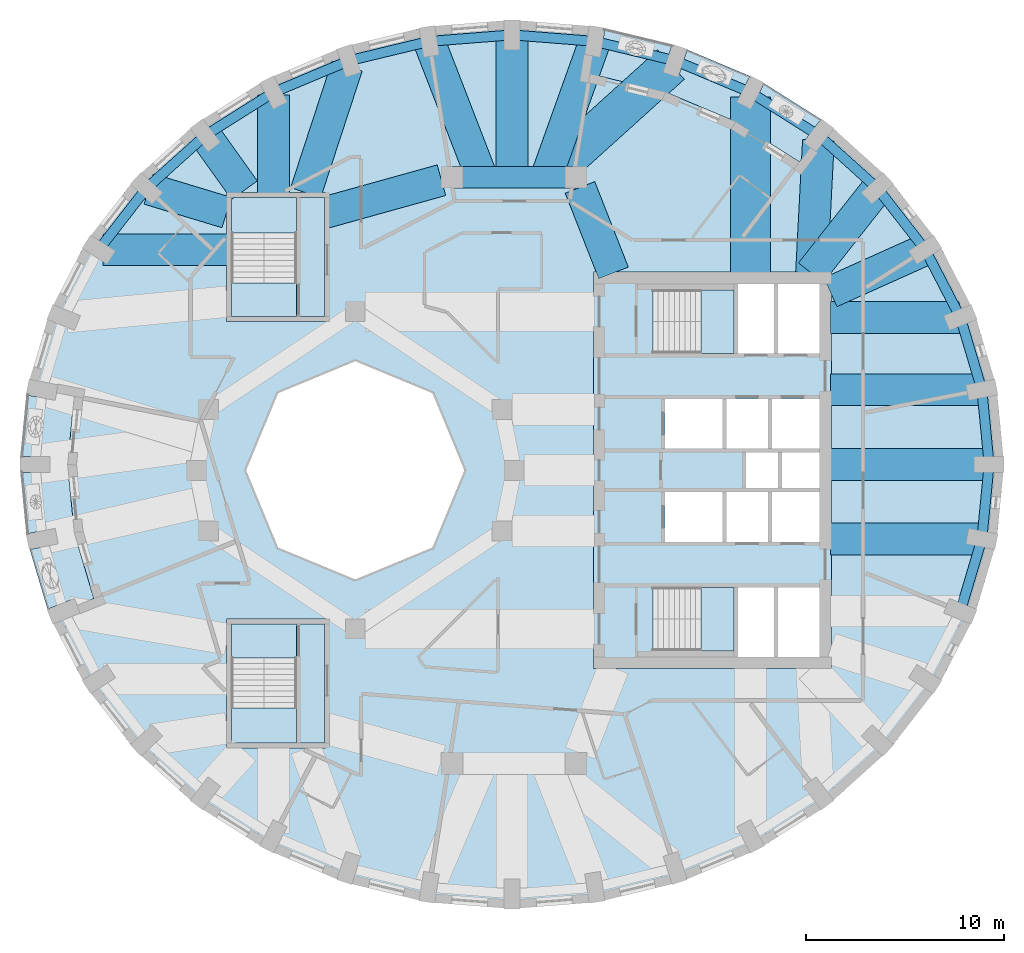
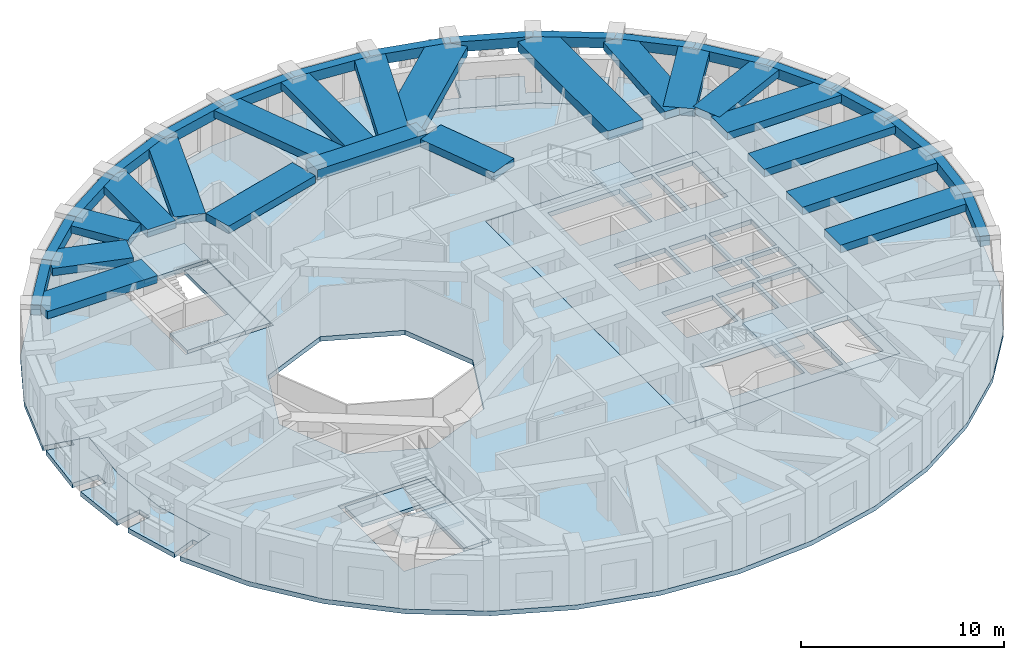
# One storey, part 2 of 12: 37 beams, 12 slabs, 4 elements without a shape of their own.
"""IFC4 building model written with IfcOpenShell, lengths in metres."""

from ifc_helpers import new_model, si_unit, direction, frame, origin, origin_2d, place, context, subcontext, project, spatial, polyline, rectangle, outline, extrude, material, layer, layer_set, material_profile, profile_set, type_object, element, aggregate, save


model = new_model("IFC4")

# Units and contexts
model_context = context("Model", 3, precision=1e-05, world=origin(), true_north=direction((0.0, 1.0)))
body_context = subcontext(model_context, "Body", "Model", "MODEL_VIEW")
ifc_project = project(units=[si_unit("LENGTHUNIT", "METRE"), si_unit("AREAUNIT", "SQUARE_METRE"), si_unit("VOLUMEUNIT", "CUBIC_METRE"), si_unit("PLANEANGLEUNIT", "RADIAN"), si_unit("MASSUNIT", "GRAM", prefix="KILO")], contexts=[model_context])

# Site, building, storey
site_placement = place(None, origin())
site = spatial("IfcSite", under=ifc_project, at=site_placement, CompositionType="ELEMENT")
building_placement = place(site_placement, origin())
building = spatial("IfcBuilding", under=site, at=building_placement, Name="Taillehof Tower", CompositionType="ELEMENT")
storey_placement = place(building_placement, frame((0.0, 0.0, 239.89990234375)))
storey = spatial("IfcBuildingStorey", under=building, at=storey_placement, Name="L68", CompositionType="ELEMENT", Elevation=239.89990234375)

# Beams
ifc_material_1 = material(Name="Concrete C50/60", Category="concrete")
ifc_material_profile_1 = material_profile(ifc_material_1, rectangle(XDim=1.10009765625, YDim=0.60009765625, at=origin_2d()), Name="RC 1100x600")
ifc_profile_set_1 = profile_set([ifc_material_profile_1], Name="Concrete C50/60")
beam_type_1 = type_object("IfcBeamType", Name="Mid-ring beam C50/60 1100x600", PredefinedType="BEAM", material=ifc_profile_set_1)
beam_1_placement = place(storey_placement, frame((3.125732421875, 14.772216796875, 2.72021484375), z_axis=(-1.0, 0.0, 0.0), x_axis=(0.0, -1.0, 0.0)))
element("IfcBeam", 1, at=beam_1_placement, inside=storey, type_object=beam_type_1, Name="Mid-ring beam MB01", PredefinedType="BEAM", context=body_context, shape_type="SweptSolid", body=[
    extrude(rectangle(XDim=1.10009765625, YDim=0.60009765625, at=origin_2d()), origin(), (0.0, 0.0, 1.0), 6.25146484375),
])
ifc_material_2 = material(Name="Concrete C50/60", Category="concrete")
ifc_material_profile_2 = material_profile(ifc_material_2, rectangle(XDim=1.60009765625, YDim=0.449951171875, at=origin_2d()), Name="RC 1600x450")
ifc_profile_set_2 = profile_set([ifc_material_profile_2], Name="Concrete C50/60")
beam_type_2 = type_object("IfcBeamType", Name="Radial band beam C50/60 1600x450", PredefinedType="BEAM", material=ifc_profile_set_2)
beam_2_placement = place(storey_placement, frame((23.949951171875, 0.300048828125, 2.795166015625), z_axis=(-1.0, 0.0, 0.0), x_axis=(0.0, -1.0, 0.0)))
element("IfcBeam", 2, at=beam_2_placement, inside=storey, type_object=beam_type_2, Name="Radial band beam RB01", PredefinedType="BEAM", context=body_context, shape_type="SweptSolid", body=[
    extrude(rectangle(XDim=1.60009765625, YDim=0.449951171875, at=origin_2d()), origin(), (0.0, 0.0, 1.0), 8.0),
])
beam_3_placement = place(storey_placement, frame((23.584716796875, 4.0595703125, 2.795166015625), z_axis=(-1.0, 0.0, 0.0), x_axis=(0.0, -1.0, 0.0)))
element("IfcBeam", 3, at=beam_3_placement, inside=storey, type_object=beam_type_2, Name="Radial band beam RB02", PredefinedType="BEAM", context=body_context, shape_type="SweptSolid", body=[
    extrude(rectangle(XDim=1.60009765625, YDim=0.449951171875, at=origin_2d()), origin(), (0.0, 0.0, 1.0), 7.634765625),
])
beam_4_placement = place(storey_placement, frame((22.44580078125, 7.704833984375, 2.795166015625), z_axis=(-1.0, 0.0, 0.0), x_axis=(0.0, -1.0, 0.0)))
element("IfcBeam", 4, at=beam_4_placement, inside=storey, type_object=beam_type_2, Name="Radial band beam RB03", PredefinedType="BEAM", context=body_context, shape_type="SweptSolid", body=[
    extrude(rectangle(XDim=1.60009765625, YDim=0.449951171875, at=origin_2d()), origin(), (0.0, 0.0, 1.0), 6.495849609375),
])
beam_5_placement = place(storey_placement, frame((20.72802734375, 11.125, 2.795166015625), z_axis=(-0.912110813011, -0.409943733685, 0.0), x_axis=(0.409943733685, -0.912110813011, 0.0)))
element("IfcBeam", 5, at=beam_5_placement, inside=storey, type_object=beam_type_2, Name="Radial band beam RB04", PredefinedType="BEAM", context=body_context, shape_type="SweptSolid", body=[
    extrude(rectangle(XDim=1.60009765625, YDim=0.449951171875, at=origin_2d()), origin(), (0.0, 0.0, 1.0), 5.233642578125),
])
beam_6_placement = place(storey_placement, frame((18.323486328125, 14.21630859375, 2.795166015625), z_axis=(-0.619052480422, -0.785349620541, 0.0), x_axis=(0.785349620541, -0.619052480422, 0.0)))
element("IfcBeam", 6, at=beam_6_placement, inside=storey, type_object=beam_type_2, Name="Radial band beam RB05", PredefinedType="BEAM", context=body_context, shape_type="SweptSolid", body=[
    extrude(rectangle(XDim=1.60009765625, YDim=0.449951171875, at=origin_2d()), origin(), (0.0, 0.0, 1.0), 5.418701171875),
])
beam_7_placement = place(storey_placement, frame((15.3466796875, 16.645751953125, 2.795166015625), z_axis=(-0.052105887855, -0.998641565553, 0.0), x_axis=(0.998641565553, -0.052105887855, 0.0)))
element("IfcBeam", 7, at=beam_7_placement, inside=storey, type_object=beam_type_2, Name="Radial band beam RB06", PredefinedType="BEAM", context=body_context, shape_type="SweptSolid", body=[
    extrude(rectangle(XDim=1.60009765625, YDim=0.449951171875, at=origin_2d()), origin(), (0.0, 0.0, 1.0), 6.704833984375),
])
beam_8_placement = place(storey_placement, frame((4.076171875, 21.62109375, 2.795166015625), z_axis=(-0.33687426523, -0.941549642571, 0.0), x_axis=(0.941549642571, -0.33687426523, 0.0)))
element("IfcBeam", 8, at=beam_8_placement, inside=storey, type_object=beam_type_2, Name="Radial band beam RB09", PredefinedType="BEAM", context=body_context, shape_type="SweptSolid", body=[
    extrude(rectangle(XDim=1.60009765625, YDim=0.449951171875, at=origin_2d()), origin(), (0.0, 0.0, 1.0), 7.27392578125),
])
beam_9_placement = place(storey_placement, frame((-0.10009765625, 21.949951171875, 2.795166015625), z_axis=(0.0, -1.0, 0.0), x_axis=(1.0, 0.0, 0.0)))
element("IfcBeam", 9, at=beam_9_placement, inside=storey, type_object=beam_type_2, Name="Radial band beam RB10", PredefinedType="BEAM", context=body_context, shape_type="SweptSolid", body=[
    extrude(rectangle(XDim=1.60009765625, YDim=0.449951171875, at=origin_2d()), origin(), (0.0, 0.0, 1.0), 7.177734375),
])
beam_10_placement = place(storey_placement, frame((-4.276123046875, 21.62109375, 2.795166015625), z_axis=(0.360900836016, -0.932604196089, 0.0), x_axis=(0.932604196089, 0.360900836016, 0.0)))
element("IfcBeam", 10, at=beam_10_placement, inside=storey, type_object=beam_type_2, Name="Radial band beam RB11", PredefinedType="BEAM", context=body_context, shape_type="SweptSolid", body=[
    extrude(rectangle(XDim=1.60009765625, YDim=0.449951171875, at=origin_2d()), origin(), (0.0, 0.0, 1.0), 7.34375),
])
beam_11_placement = place(storey_placement, frame((-8.41162109375, 20.38134765625, 2.795166015625), z_axis=(-0.311042642597, -0.950395956687, 0.0), x_axis=(0.950395956687, -0.311042642597, 0.0)))
element("IfcBeam", 11, at=beam_11_placement, inside=storey, type_object=beam_type_2, Name="Radial band beam RB12", PredefinedType="BEAM", context=body_context, shape_type="SweptSolid", body=[
    extrude(rectangle(XDim=1.60009765625, YDim=0.449951171875, at=origin_2d()), origin(), (0.0, 0.0, 1.0), 6.715576171875),
])
beam_12_placement = place(storey_placement, frame((-12.125, 18.91552734375, 2.795166015625), z_axis=(0.0, -1.0, 0.0), x_axis=(1.0, 0.0, 0.0)))
element("IfcBeam", 12, at=beam_12_placement, inside=storey, type_object=beam_type_2, Name="Radial band beam RB13", PredefinedType="BEAM", context=body_context, shape_type="SweptSolid", body=[
    extrude(rectangle(XDim=1.60009765625, YDim=0.449951171875, at=origin_2d()), origin(), (0.0, 0.0, 1.0), 4.965576171875),
])
beam_13_placement = place(storey_placement, frame((-15.55908203125, 16.884765625, 2.795166015625), z_axis=(0.580959197129, -0.813932682272, 0.0), x_axis=(0.813932682272, 0.580959197129, 0.0)))
element("IfcBeam", 13, at=beam_13_placement, inside=storey, type_object=beam_type_2, Name="Radial band beam RB14", PredefinedType="BEAM", context=body_context, shape_type="SweptSolid", body=[
    extrude(rectangle(XDim=1.60009765625, YDim=0.449951171875, at=origin_2d()), origin(), (0.0, 0.0, 1.0), 3.394287109375),
])
beam_14_placement = place(storey_placement, frame((-18.413818359375, 14.18310546875, 2.795166015625), z_axis=(0.957221394865, -0.289356529584, 0.0), x_axis=(0.289356529584, 0.957221394865, 0.0)))
element("IfcBeam", 14, at=beam_14_placement, inside=storey, type_object=beam_type_2, Name="Radial band beam RB15", PredefinedType="BEAM", context=body_context, shape_type="SweptSolid", body=[
    extrude(rectangle(XDim=1.60009765625, YDim=0.449951171875, at=origin_2d()), origin(), (0.0, 0.0, 1.0), 4.102294921875),
])
beam_15_placement = place(storey_placement, frame((-20.7119140625, 11.125, 2.795166015625), z_axis=(1.0, 0.0, 0.0), x_axis=(0.0, 1.0, 0.0)))
element("IfcBeam", 15, at=beam_15_placement, inside=storey, type_object=beam_type_2, Name="Radial band beam RB16", PredefinedType="BEAM", context=body_context, shape_type="SweptSolid", body=[
    extrude(rectangle(XDim=1.60009765625, YDim=0.449951171875, at=origin_2d()), origin(), (0.0, 0.0, 1.0), 6.261962890625),
])
beam_16_placement = place(storey_placement, frame((23.584716796875, -3.45947265625, 2.795166015625), z_axis=(-1.0, 0.0, 0.0), x_axis=(0.0, -1.0, 0.0)))
element("IfcBeam", 16, at=beam_16_placement, inside=storey, type_object=beam_type_2, Name="Radial band beam RB36", PredefinedType="BEAM", context=body_context, shape_type="SweptSolid", body=[
    extrude(rectangle(XDim=1.60009765625, YDim=0.449951171875, at=origin_2d()), origin(), (0.0, 0.0, 1.0), 7.634765625),
])
beam_17_placement = place(storey_placement, frame((3.32666015625, 14.26025390625, 2.795166015625), z_axis=(0.365588707223, -0.930776502255, 0.0), x_axis=(0.930776502255, 0.365588707223, 0.0)))
element("IfcBeam", 17, at=beam_17_placement, inside=storey, type_object=beam_type_2, Name="Inner band beam IB205", PredefinedType="BEAM", context=body_context, shape_type="SweptSolid", body=[
    extrude(rectangle(XDim=1.60009765625, YDim=0.449951171875, at=origin_2d()), origin(), (0.0, 0.0, 1.0), 4.627197265625),
])
beam_18_placement = place(storey_placement, frame((-3.655517578125, 14.624755859375, 2.795166015625), z_axis=(-0.963459369536, -0.267854518821, 0.0), x_axis=(0.267854518821, -0.963459369536, 0.0)))
element("IfcBeam", 18, at=beam_18_placement, inside=storey, type_object=beam_type_2, Name="Inner band beam IB206", PredefinedType="BEAM", context=body_context, shape_type="SweptSolid", body=[
    extrude(rectangle(XDim=1.60009765625, YDim=0.449951171875, at=origin_2d()), origin(), (0.0, 0.0, 1.0), 6.096923828125),
])
ifc_material_3 = material(Name="Concrete C50/60", Category="concrete")
ifc_material_profile_3 = material_profile(ifc_material_3, rectangle(XDim=2.0, YDim=0.550048828125, at=origin_2d()), Name="RC 2000x550")
ifc_profile_set_3 = profile_set([ifc_material_profile_3], Name="Concrete C50/60")
beam_type_3 = type_object("IfcBeamType", Name="Radial band beam C50/60 2000x550", PredefinedType="BEAM", material=ifc_profile_set_3)
beam_19_placement = place(storey_placement, frame((11.925048828125, 18.8115234375, 2.7451171875), z_axis=(0.0, -1.0, 0.0), x_axis=(1.0, 0.0, 0.0)))
element("IfcBeam", 19, at=beam_19_placement, inside=storey, type_object=beam_type_3, Name="Radial band beam RB07", PredefinedType="BEAM", context=body_context, shape_type="SweptSolid", body=[
    extrude(rectangle(XDim=2.0, YDim=0.550048828125, at=origin_2d()), origin(), (0.0, 0.0, 1.0), 8.861572265625),
])
beam_20_placement = place(storey_placement, frame((7.9150390625, 20.4541015625, 2.7451171875), z_axis=(-0.742031364941, -0.670365164253, 0.0), x_axis=(0.670365164253, -0.742031364941, 0.0)))
element("IfcBeam", 20, at=beam_20_placement, inside=storey, type_object=beam_type_3, Name="Radial band beam RB08", PredefinedType="BEAM", context=body_context, shape_type="SweptSolid", body=[
    extrude(rectangle(XDim=2.0, YDim=0.550048828125, at=origin_2d()), origin(), (0.0, 0.0, 1.0), 8.189453125),
])
ifc_material_4 = material(Name="Concrete C50/60", Category="concrete")
ifc_material_profile_4 = material_profile(ifc_material_4, rectangle(XDim=0.5, YDim=0.60009765625, at=origin_2d()), Name="RC 500x600")
ifc_profile_set_4 = profile_set([ifc_material_profile_4], Name="Concrete C50/60")
beam_type_4 = type_object("IfcBeamType", Name="Spandrel beam C50/60 500x600", PredefinedType="SPANDREL", material=ifc_profile_set_4)
beam_21_placement = place(storey_placement, frame((23.949951171875, 0.300048828125, 2.72021484375), z_axis=(-0.096693940319, 0.995314162416, 0.0), x_axis=(-0.995314162416, -0.096693940319, 0.0)))
element("IfcBeam", 21, at=beam_21_placement, inside=storey, type_object=beam_type_4, Name="Spandrel beam SB01", PredefinedType="SPANDREL", context=body_context, shape_type="SweptSolid", body=[
    extrude(rectangle(XDim=0.5, YDim=0.60009765625, at=origin_2d()), origin(), (0.0, 0.0, 1.0), 3.777099609375),
])
beam_22_placement = place(storey_placement, frame((23.584716796875, 4.0595703125, 2.72021484375), z_axis=(-0.285327303248, 0.95843013831, 0.0), x_axis=(-0.95843013831, -0.285327303248, 0.0)))
element("IfcBeam", 22, at=beam_22_placement, inside=storey, type_object=beam_type_4, Name="Spandrel beam SB02", PredefinedType="SPANDREL", context=body_context, shape_type="SweptSolid", body=[
    extrude(rectangle(XDim=0.5, YDim=0.60009765625, at=origin_2d()), origin(), (0.0, 0.0, 1.0), 3.803466796875),
])
beam_23_placement = place(storey_placement, frame((22.49951171875, 7.704833984375, 2.72021484375), z_axis=(-0.45992118545, 0.887959741865, 0.0), x_axis=(-0.887959741865, -0.45992118545, 0.0)))
element("IfcBeam", 23, at=beam_23_placement, inside=storey, type_object=beam_type_4, Name="Spandrel beam SB03", PredefinedType="SPANDREL", context=body_context, shape_type="SweptSolid", body=[
    extrude(rectangle(XDim=0.5, YDim=0.60009765625, at=origin_2d()), origin(), (0.0, 0.0, 1.0), 3.851806640625),
])
beam_24_placement = place(storey_placement, frame((20.72802734375, 11.125, 2.72021484375), z_axis=(-0.613970823209, 0.78932872002, 0.0), x_axis=(-0.78932872002, -0.613970823209, 0.0)))
element("IfcBeam", 24, at=beam_24_placement, inside=storey, type_object=beam_type_4, Name="Spandrel beam SB04", PredefinedType="SPANDREL", context=body_context, shape_type="SweptSolid", body=[
    extrude(rectangle(XDim=0.5, YDim=0.60009765625, at=origin_2d()), origin(), (0.0, 0.0, 1.0), 3.916259765625),
])
beam_25_placement = place(storey_placement, frame((18.323486328125, 14.21630859375, 2.72021484375), z_axis=(-0.743227182134, 0.669039128704, 0.0), x_axis=(-0.669039128704, -0.743227182134, 0.0)))
element("IfcBeam", 25, at=beam_25_placement, inside=storey, type_object=beam_type_4, Name="Spandrel beam SB05", PredefinedType="SPANDREL", context=body_context, shape_type="SweptSolid", body=[
    extrude(rectangle(XDim=0.5, YDim=0.60009765625, at=origin_2d()), origin(), (0.0, 0.0, 1.0), 3.988525390625),
])
beam_26_placement = place(storey_placement, frame((15.359130859375, 16.884765625, 2.72021484375), z_axis=(-0.845944476237, 0.5332709847, 0.0), x_axis=(-0.5332709847, -0.845944476237, 0.0)))
element("IfcBeam", 26, at=beam_26_placement, inside=storey, type_object=beam_type_4, Name="Spandrel beam SB06", PredefinedType="SPANDREL", context=body_context, shape_type="SweptSolid", body=[
    extrude(rectangle(XDim=0.5, YDim=0.60009765625, at=origin_2d()), origin(), (0.0, 0.0, 1.0), 4.0595703125),
])
beam_27_placement = place(storey_placement, frame((11.925048828125, 19.049560546875, 2.72021484375), z_axis=(-0.922076419735, 0.387007850267, 0.0), x_axis=(-0.387007850267, -0.922076419735, 0.0)))
element("IfcBeam", 27, at=beam_27_placement, inside=storey, type_object=beam_type_4, Name="Spandrel beam SB07", PredefinedType="SPANDREL", context=body_context, shape_type="SweptSolid", body=[
    extrude(rectangle(XDim=0.5, YDim=0.60009765625, at=origin_2d()), origin(), (0.0, 0.0, 1.0), 4.12060546875),
])
beam_28_placement = place(storey_placement, frame((8.12548828125, 20.644287109375, 2.72021484375), z_axis=(-0.972115850295, 0.234501116425, 0.0), x_axis=(-0.234501116425, -0.972115850295, 0.0)))
element("IfcBeam", 28, at=beam_28_placement, inside=storey, type_object=beam_type_4, Name="Spandrel beam SB08", PredefinedType="SPANDREL", context=body_context, shape_type="SweptSolid", body=[
    extrude(rectangle(XDim=0.5, YDim=0.60009765625, at=origin_2d()), origin(), (0.0, 0.0, 1.0), 4.16552734375),
])
beam_29_placement = place(storey_placement, frame((4.076171875, 21.62109375, 2.72021484375), z_axis=(-0.996914011582, 0.078501296247, 0.0), x_axis=(-0.078501296247, -0.996914011582, 0.0)))
element("IfcBeam", 29, at=beam_29_placement, inside=storey, type_object=beam_type_4, Name="Spandrel beam SB09", PredefinedType="SPANDREL", context=body_context, shape_type="SweptSolid", body=[
    extrude(rectangle(XDim=0.5, YDim=0.60009765625, at=origin_2d()), origin(), (0.0, 0.0, 1.0), 4.189208984375),
])
beam_30_placement = place(storey_placement, frame((-0.10009765625, 21.949951171875, 2.72021484375), z_axis=(-0.996913652411, -0.07850585734, 0.0), x_axis=(0.07850585734, -0.996913652411, 0.0)))
element("IfcBeam", 30, at=beam_30_placement, inside=storey, type_object=beam_type_4, Name="Spandrel beam SB10", PredefinedType="SPANDREL", context=body_context, shape_type="SweptSolid", body=[
    extrude(rectangle(XDim=0.5, YDim=0.60009765625, at=origin_2d()), origin(), (0.0, 0.0, 1.0), 4.18896484375),
])
beam_31_placement = place(storey_placement, frame((-4.276123046875, 21.62109375, 2.72021484375), z_axis=(-0.972119073064, -0.234487756154, 0.0), x_axis=(0.234487756154, -0.972119073064, 0.0)))
element("IfcBeam", 31, at=beam_31_placement, inside=storey, type_object=beam_type_4, Name="Spandrel beam SB11", PredefinedType="SPANDREL", context=body_context, shape_type="SweptSolid", body=[
    extrude(rectangle(XDim=0.5, YDim=0.60009765625, at=origin_2d()), origin(), (0.0, 0.0, 1.0), 4.165771484375),
])
beam_32_placement = place(storey_placement, frame((-8.32568359375, 20.644287109375, 2.72021484375), z_axis=(-0.922067545136, -0.387028994013, 0.0), x_axis=(0.387028994013, -0.922067545136, 0.0)))
element("IfcBeam", 32, at=beam_32_placement, inside=storey, type_object=beam_type_4, Name="Spandrel beam SB12", PredefinedType="SPANDREL", context=body_context, shape_type="SweptSolid", body=[
    extrude(rectangle(XDim=0.5, YDim=0.60009765625, at=origin_2d()), origin(), (0.0, 0.0, 1.0), 4.120361328125),
])
beam_33_placement = place(storey_placement, frame((-12.125, 19.049560546875, 2.72021484375), z_axis=(-0.845944476237, -0.5332709847, 0.0), x_axis=(0.5332709847, -0.845944476237, 0.0)))
element("IfcBeam", 33, at=beam_33_placement, inside=storey, type_object=beam_type_4, Name="Spandrel beam SB13", PredefinedType="SPANDREL", context=body_context, shape_type="SweptSolid", body=[
    extrude(rectangle(XDim=0.5, YDim=0.60009765625, at=origin_2d()), origin(), (0.0, 0.0, 1.0), 4.0595703125),
])
beam_34_placement = place(storey_placement, frame((-15.55908203125, 16.884765625, 2.72021484375), z_axis=(-0.743227182134, -0.669039128704, 0.0), x_axis=(0.669039128704, -0.743227182134, 0.0)))
element("IfcBeam", 34, at=beam_34_placement, inside=storey, type_object=beam_type_4, Name="Spandrel beam SB14", PredefinedType="SPANDREL", context=body_context, shape_type="SweptSolid", body=[
    extrude(rectangle(XDim=0.5, YDim=0.60009765625, at=origin_2d()), origin(), (0.0, 0.0, 1.0), 3.988525390625),
])
beam_35_placement = place(storey_placement, frame((-18.5234375, 14.21630859375, 2.72021484375), z_axis=(-0.613970823209, -0.78932872002, 0.0), x_axis=(0.78932872002, -0.613970823209, 0.0)))
element("IfcBeam", 35, at=beam_35_placement, inside=storey, type_object=beam_type_4, Name="Spandrel beam SB15", PredefinedType="SPANDREL", context=body_context, shape_type="SweptSolid", body=[
    extrude(rectangle(XDim=0.5, YDim=0.60009765625, at=origin_2d()), origin(), (0.0, 0.0, 1.0), 3.916259765625),
])
beam_36_placement = place(storey_placement, frame((22.49951171875, -7.104736328125, 2.72021484375), z_axis=(0.285327303248, 0.95843013831, 0.0), x_axis=(-0.95843013831, 0.285327303248, 0.0)))
element("IfcBeam", 36, at=beam_36_placement, inside=storey, type_object=beam_type_4, Name="Spandrel beam SB35", PredefinedType="SPANDREL", context=body_context, shape_type="SweptSolid", body=[
    extrude(rectangle(XDim=0.5, YDim=0.60009765625, at=origin_2d()), origin(), (0.0, 0.0, 1.0), 3.803466796875),
])
beam_37_placement = place(storey_placement, frame((23.584716796875, -3.45947265625, 2.72021484375), z_axis=(0.096693940319, 0.995314162416, 0.0), x_axis=(-0.995314162416, 0.096693940319, 0.0)))
element("IfcBeam", 37, at=beam_37_placement, inside=storey, type_object=beam_type_4, Name="Spandrel beam SB36", PredefinedType="SPANDREL", context=body_context, shape_type="SweptSolid", body=[
    extrude(rectangle(XDim=0.5, YDim=0.60009765625, at=origin_2d()), origin(), (0.0, 0.0, 1.0), 3.777099609375),
])

# Slabs
ifc_material_5 = material(Name="Concrete C40/50", Category="concrete")
ifc_layer_1 = layer(ifc_material_5, 0.280029296875)
ifc_layer_set_1 = layer_set([ifc_layer_1], Name="Balcony slab 280")
slab_type_1 = type_object("IfcSlabType", Name="Balcony slab 280", PredefinedType="USERDEFINED", material=ifc_layer_set_1)
slab_1_placement = place(storey_placement, frame((0.0, 0.0, -0.27978515625)))
element("IfcSlab", 38, at=slab_1_placement, inside=storey, type_object=slab_type_1, Name="Balcony L68 pocket 5", ObjectType="BALCONY", PredefinedType="USERDEFINED", context=body_context, shape_type="SweptSolid", body=[
    extrude(outline(polyline([(-21.17822265625, -6.464111328125), (-22.013427734375, -6.80078125), (-22.153564453125, -6.453369140625), (-23.511474609375, -7.00048828125), (-24.405029296875, -3.988037109375), (-22.971923828125, -3.708251953125), (-23.125244140625, -2.923095703125), (-24.560546875, -3.203369140625), (-24.861328125, -0.10009765625), (-23.39990234375, -0.10009765625), (-23.39990234375, 0.699951171875), (-24.861328125, 0.699951171875), (-24.560546875, 3.803466796875), (-23.125244140625, 3.523193359375), (-23.051025390625, 3.90234375), (-22.167724609375, 3.72998046875), (-22.5, 0.300048828125), (-22.167724609375, -3.1298828125), (-21.17822265625, -6.464111328125)])), origin(), (0.0, 0.0, 1.0), 0.27978515625),
])
slab_2_placement = place(storey_placement, frame((0.0, 0.0, -0.27978515625)))
element("IfcSlab", 39, at=slab_2_placement, inside=storey, type_object=slab_type_1, Name="Balcony L68 pocket 1", ObjectType="BALCONY", PredefinedType="USERDEFINED", context=body_context, shape_type="SweptSolid", body=[
    extrude(outline(polyline([(3.8291015625, 19.989501953125), (3.970458984375, 20.87841796875), (4.353271484375, 20.817626953125), (4.584228515625, 22.268310546875), (7.968994140625, 21.448974609375), (7.511474609375, 20.056884765625), (8.271240234375, 19.806884765625), (8.730224609375, 21.20263671875), (11.900390625, 19.8671875), (11.2236328125, 18.5693359375), (11.932861328125, 18.199462890625), (12.612060546875, 19.501708984375), (15.47021484375, 17.69384765625), (14.587158203125, 16.52880859375), (14.935546875, 16.2646484375), (14.3916015625, 15.546630859375), (11.190185546875, 17.571044921875), (7.632568359375, 19.069091796875), (3.8291015625, 19.989501953125)])), origin(), (0.0, 0.0, 1.0), 0.27978515625),
])
ifc_material_6 = material(Name="Concrete C40/50", Category="concrete")
ifc_layer_2 = layer(ifc_material_6, 0.280029296875)
ifc_layer_set_2 = layer_set([ifc_layer_2], Name="Core floor slab C40/50 280")
slab_type_2 = type_object("IfcSlabType", Name="Core floor slab C40/50 280", PredefinedType="FLOOR", material=ifc_layer_set_2)
slab_3_placement = place(storey_placement, frame((0.0, 0.0, -0.27978515625)))
element("IfcSlab", 40, at=slab_3_placement, inside=storey, type_object=slab_type_2, Name="Core floor L68", PredefinedType="FLOOR", context=body_context, shape_type="SweptSolid", body=[
    extrude(outline(polyline([(4.0, -10.0), (4.0, 10.0), (16.0, 10.0), (16.0, -10.0), (4.0, -10.0)]), holes=[polyline([(11.10009765625, -9.10009765625), (11.10009765625, -5.89990234375), (7.00048828125, -5.89990234375), (7.00048828125, -9.10009765625), (11.10009765625, -9.10009765625)]), polyline([(10.5, -3.60009765625), (10.5, -1.10009765625), (7.60009765625, -1.10009765625), (7.60009765625, -3.60009765625), (10.5, -3.60009765625)]), polyline([(12.800048828125, -3.60009765625), (12.800048828125, -1.10009765625), (10.699951171875, -1.10009765625), (10.699951171875, -3.60009765625), (12.800048828125, -3.60009765625)]), polyline([(10.5, 1.10009765625), (10.5, 3.60009765625), (7.60009765625, 3.60009765625), (7.60009765625, 1.10009765625), (10.5, 1.10009765625)]), polyline([(12.800048828125, 1.10009765625), (12.800048828125, 3.60009765625), (10.699951171875, 3.60009765625), (10.699951171875, 1.10009765625), (12.800048828125, 1.10009765625)]), polyline([(11.10009765625, 5.89990234375), (11.10009765625, 9.10009765625), (7.00048828125, 9.10009765625), (7.00048828125, 5.89990234375), (11.10009765625, 5.89990234375)]), polyline([(13.10009765625, 5.89990234375), (13.10009765625, 9.39990234375), (11.300048828125, 9.39990234375), (11.300048828125, 5.89990234375), (13.10009765625, 5.89990234375)]), polyline([(13.10009765625, -5.89990234375), (11.300048828125, -5.89990234375), (11.300048828125, -9.39990234375), (13.10009765625, -9.39990234375), (13.10009765625, -5.89990234375)]), polyline([(15.39990234375, -9.39990234375), (15.39990234375, -5.89990234375), (13.300048828125, -5.89990234375), (13.300048828125, -9.39990234375), (15.39990234375, -9.39990234375)]), polyline([(15.39990234375, -3.60009765625), (15.39990234375, -1.10009765625), (13.0, -1.10009765625), (13.0, -3.60009765625), (15.39990234375, -3.60009765625)]), polyline([(13.300048828125, -0.89990234375), (13.300048828125, 0.89990234375), (11.699951171875, 0.89990234375), (11.699951171875, -0.89990234375), (13.300048828125, -0.89990234375)]), polyline([(15.39990234375, -0.89990234375), (15.39990234375, 0.89990234375), (13.5, 0.89990234375), (13.5, -0.89990234375), (15.39990234375, -0.89990234375)]), polyline([(15.39990234375, 1.10009765625), (15.39990234375, 3.60009765625), (13.0, 3.60009765625), (13.0, 1.10009765625), (15.39990234375, 1.10009765625)]), polyline([(15.39990234375, 5.89990234375), (15.39990234375, 9.39990234375), (13.300048828125, 9.39990234375), (13.300048828125, 5.89990234375), (15.39990234375, 5.89990234375)])]), origin(), (0.0, 0.0, 1.0), 0.27978515625),
])
ifc_material_7 = material(Name="Concrete C40/50", Category="concrete")
ifc_layer_3 = layer(ifc_material_7, 0.280029296875)
ifc_layer_set_3 = layer_set([ifc_layer_3], Name="Floor slab 280")
slab_type_3 = type_object("IfcSlabType", Name="Floor slab 280", PredefinedType="FLOOR", material=ifc_layer_set_3)
slab_4_placement = place(storey_placement, frame((0.0, 0.0, -0.27978515625)))
element("IfcSlab", 41, at=slab_4_placement, inside=storey, type_object=slab_type_3, Name="Floor slab L68", PredefinedType="FLOOR", context=body_context, shape_type="SweptSolid", body=[
    extrude(outline(polyline([(24.699951171875, 0.300048828125), (24.3232421875, 4.189697265625), (23.204345703125, 7.961181640625), (21.37744140625, 11.5), (18.89794921875, 14.698486328125), (15.841064453125, 17.45947265625), (14.3916015625, 15.546630859375), (11.190185546875, 17.57080078125), (7.632568359375, 19.069091796875), (3.8291015625, 19.989501953125), (4.20654296875, 22.359619140625), (-0.10009765625, 22.699951171875), (-4.406494140625, 22.359619140625), (-8.58203125, 21.34912109375), (-12.5, 19.698974609375), (-16.041015625, 17.45947265625), (-19.097900390625, 14.698486328125), (-21.577392578125, 11.5), (-23.404296875, 7.961181640625), (-24.523193359375, 4.189697265625), (-22.167724609375, 3.72998046875), (-22.5, 0.300048828125), (-22.167724609375, -3.1298828125), (-21.17822265625, -6.464111328125), (-23.404296875, -7.361328125), (-21.577392578125, -10.89990234375), (-19.097900390625, -14.098388671875), (-16.041015625, -16.859375), (-12.5, -19.09912109375), (-8.58203125, -20.7490234375), (-4.406494140625, -21.759765625), (-0.10009765625, -22.10009765625), (4.20654296875, -21.759765625), (8.382080078125, -20.7490234375), (12.300048828125, -19.09912109375), (15.841064453125, -16.859375), (18.89794921875, -14.098388671875), (21.37744140625, -10.89990234375), (23.204345703125, -7.361328125), (24.3232421875, -3.589599609375), (24.699951171875, 0.300048828125)]), holes=[polyline([(-14.5, -7.5), (-9.5, -7.5), (-9.5, -14.0), (-14.5, -14.0), (-14.5, -7.5)]), polyline([(-8.0, -5.5), (-11.88916015625, -3.88916015625), (-13.5, 0.0), (-11.88916015625, 3.88916015625), (-8.0, 5.5), (-4.11083984375, 3.88916015625), (-2.5, 0.0), (-4.11083984375, -3.88916015625), (-8.0, -5.5)]), polyline([(16.0, 10.0), (16.0, -10.0), (4.0, -10.0), (4.0, 10.0), (16.0, 10.0)]), polyline([(-14.5, 14.0), (-9.5, 14.0), (-9.5, 7.5), (-14.5, 7.5), (-14.5, 14.0)])]), origin(), (0.0, 0.0, 1.0), 0.27978515625),
])

# Stair, slab
ifc_material_8 = material(Name="Concrete C40/50", Category="concrete")
stair_type = type_object("IfcStairType", Name="Exit stair half-turn", PredefinedType="HALF_TURN_STAIR", material=ifc_material_8)
stair_1_placement = place(storey_placement, origin())
stair_1 = element("IfcStair", 42, at=stair_1_placement, inside=storey, type_object=stair_type, Name="Exit stair S1", PredefinedType="HALF_TURN_STAIR")
ifc_material_9 = material(Name="Concrete C40/50", Category="concrete")
ifc_layer_4 = layer(ifc_material_9, 0.2099609375)
ifc_layer_set_4 = layer_set([ifc_layer_4], Name="Stair landing C40/50 210")
slab_type_4 = type_object("IfcSlabType", Name="Stair landing C40/50 210", PredefinedType="LANDING", material=ifc_layer_set_4)
slab_5_placement = place(storey_placement, frame((0.0, 0.0, 1.440185546875)))
slab_5 = element("IfcSlab", 43, at=slab_5_placement, type_object=slab_type_4, Name="S1 landing 1", PredefinedType="LANDING", context=body_context, shape_type="SweptSolid", body=[
    extrude(outline(polyline([(9.429931640625, 5.89990234375), (11.10009765625, 5.89990234375), (11.10009765625, 9.10009765625), (9.429931640625, 9.10009765625), (9.429931640625, 5.89990234375)])), origin(), (0.0, 0.0, 1.0), 0.2099609375),
])
aggregate(stair_1, [slab_5])

stair_2_placement = place(storey_placement, origin())
stair_2 = element("IfcStair", 44, at=stair_2_placement, inside=storey, type_object=stair_type, Name="Exit stair S2", PredefinedType="HALF_TURN_STAIR")
slab_6_placement = place(storey_placement, frame((0.0, 0.0, 1.440185546875)))
slab_6 = element("IfcSlab", 45, at=slab_6_placement, type_object=slab_type_4, Name="S2 landing 1", PredefinedType="LANDING", context=body_context, shape_type="SweptSolid", body=[
    extrude(outline(polyline([(9.429931640625, -5.89990234375), (11.10009765625, -5.89990234375), (11.10009765625, -9.10009765625), (9.429931640625, -9.10009765625), (9.429931640625, -5.89990234375)])), origin(), (0.0, 0.0, 1.0), 0.2099609375),
])
aggregate(stair_2, [slab_6])

stair_3_placement = place(storey_placement, origin())
stair_3 = element("IfcStair", 46, at=stair_3_placement, inside=storey, type_object=stair_type, Name="Exit stair S3", PredefinedType="HALF_TURN_STAIR")
slab_7_placement = place(storey_placement, frame((0.0, 0.0, 1.440185546875)))
slab_7 = element("IfcSlab", 47, at=slab_7_placement, type_object=slab_type_4, Name="S3 landing 1", PredefinedType="LANDING", context=body_context, shape_type="SweptSolid", body=[
    extrude(outline(polyline([(-14.25, 11.969970703125), (-14.25, 13.75), (-10.949951171875, 13.75), (-10.949951171875, 11.969970703125), (-14.25, 11.969970703125)])), origin(), (0.0, 0.0, 1.0), 0.2099609375),
])
aggregate(stair_3, [slab_7])

stair_4_placement = place(storey_placement, origin())
stair_4 = element("IfcStair", 48, at=stair_4_placement, inside=storey, type_object=stair_type, Name="Exit stair S4", PredefinedType="HALF_TURN_STAIR")
slab_8_placement = place(storey_placement, frame((0.0, 0.0, 1.440185546875)))
slab_8 = element("IfcSlab", 49, at=slab_8_placement, type_object=slab_type_4, Name="S4 landing 1", PredefinedType="LANDING", context=body_context, shape_type="SweptSolid", body=[
    extrude(outline(polyline([(-14.25, -11.969970703125), (-14.25, -13.75), (-10.949951171875, -13.75), (-10.949951171875, -11.969970703125), (-14.25, -11.969970703125)])), origin(), (0.0, 0.0, 1.0), 0.2099609375),
])
aggregate(stair_4, [slab_8])

# Slabs
slab_9_placement = place(storey_placement, frame((0.0, 0.0, -0.2099609375)))
element("IfcSlab", 50, at=slab_9_placement, inside=storey, type_object=slab_type_4, Name="Stair S3 floor landing", PredefinedType="LANDING", context=body_context, shape_type="SweptSolid", body=[
    extrude(outline(polyline([(-14.25, 7.75), (-14.25, 9.449951171875), (-10.949951171875, 9.449951171875), (-10.949951171875, 7.75), (-14.25, 7.75)])), origin(), (0.0, 0.0, 1.0), 0.2099609375),
])
slab_10_placement = place(storey_placement, frame((0.0, 0.0, -0.2099609375)))
element("IfcSlab", 51, at=slab_10_placement, inside=storey, type_object=slab_type_4, Name="Stair lobby S3 floor", PredefinedType="LANDING", context=body_context, shape_type="SweptSolid", body=[
    extrude(outline(polyline([(-10.949951171875, 7.75), (-9.550048828125, 7.75), (-9.550048828125, 13.75), (-10.949951171875, 13.75), (-10.949951171875, 7.75)])), origin(), (0.0, 0.0, 1.0), 0.2099609375),
])
slab_11_placement = place(storey_placement, frame((0.0, 0.0, -0.2099609375)))
element("IfcSlab", 52, at=slab_11_placement, inside=storey, type_object=slab_type_4, Name="Stair S4 floor landing", PredefinedType="LANDING", context=body_context, shape_type="SweptSolid", body=[
    extrude(outline(polyline([(-14.25, -7.75), (-14.25, -9.449951171875), (-10.949951171875, -9.449951171875), (-10.949951171875, -7.75), (-14.25, -7.75)])), origin(), (0.0, 0.0, 1.0), 0.2099609375),
])
slab_12_placement = place(storey_placement, frame((0.0, 0.0, -0.2099609375)))
element("IfcSlab", 53, at=slab_12_placement, inside=storey, type_object=slab_type_4, Name="Stair lobby S4 floor", PredefinedType="LANDING", context=body_context, shape_type="SweptSolid", body=[
    extrude(outline(polyline([(-10.949951171875, -13.75), (-9.550048828125, -13.75), (-9.550048828125, -7.75), (-10.949951171875, -7.75), (-10.949951171875, -13.75)])), origin(), (0.0, 0.0, 1.0), 0.2099609375),
])

save(model, "model.ifc")
